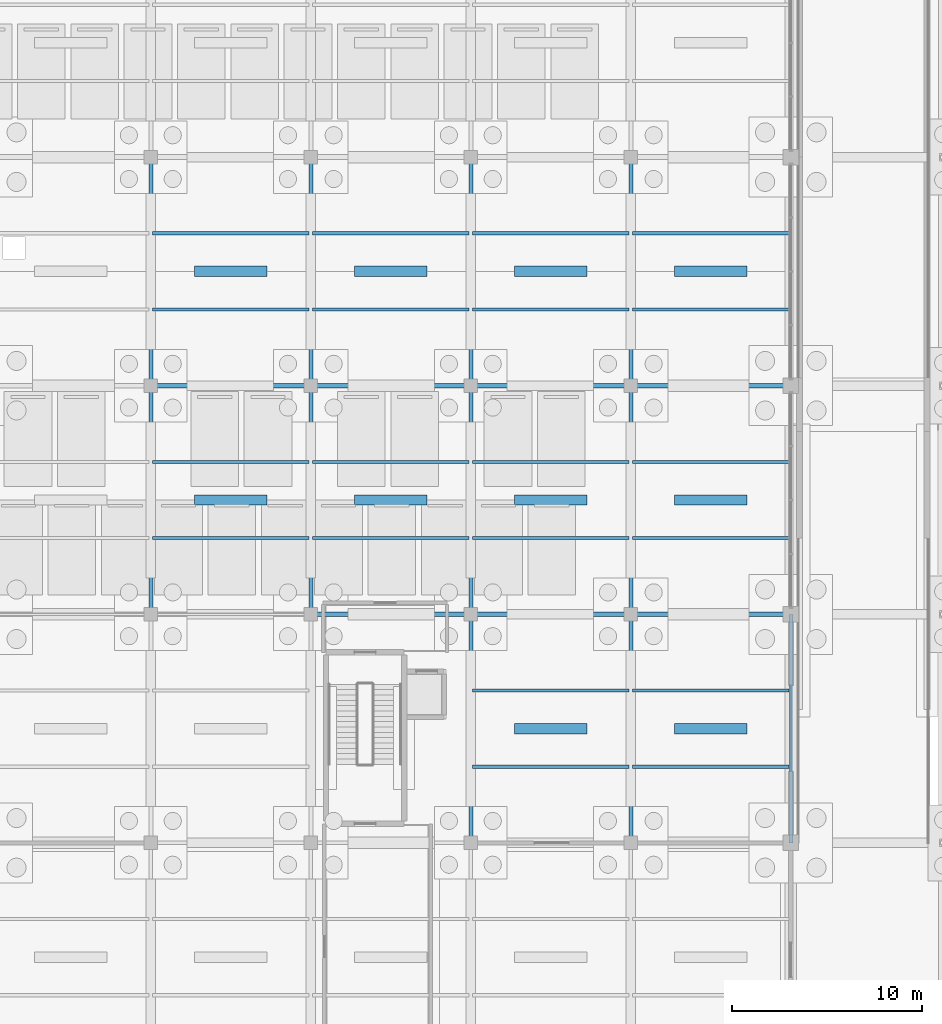
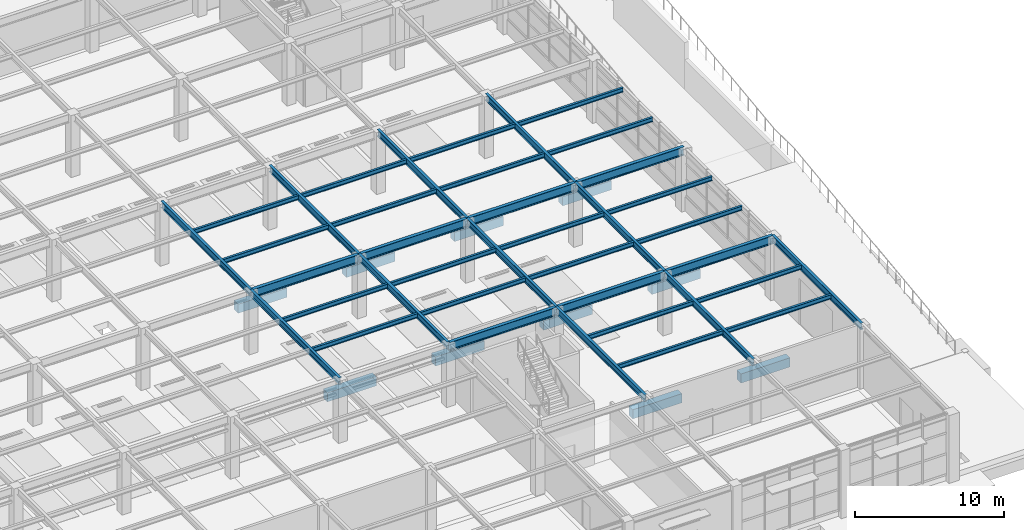
# One storey, part 66 of 129: 48 beams.
"""IFC4 building model written with IfcOpenShell, lengths in metres."""

from ifc_helpers import new_model, si_unit, direction, frame, origin, origin_2d, place, context, subcontext, project, spatial, rectangle, i_section, extrude, material, material_profile, profile_set, type_object, element, save


model = new_model("IFC4")

# Units and contexts
model_context = context("Model", 3, precision=1e-05, world=origin(), true_north=direction((0.0, 1.0)))
body_context = subcontext(model_context, "Body", "Model", "MODEL_VIEW")
ifc_project = project(units=[si_unit("LENGTHUNIT", "METRE"), si_unit("AREAUNIT", "SQUARE_METRE"), si_unit("VOLUMEUNIT", "CUBIC_METRE"), si_unit("PLANEANGLEUNIT", "RADIAN"), si_unit("MASSUNIT", "GRAM", prefix="KILO")], contexts=[model_context])

# Site, building, storey
site_placement = place(None, origin())
site = spatial("IfcSite", under=ifc_project, at=site_placement, CompositionType="ELEMENT")
building_placement = place(site_placement, origin())
building = spatial("IfcBuilding", under=site, at=building_placement, Name="Sitalva Quay Ferry Terminal", CompositionType="ELEMENT")
storey_placement = place(building_placement, origin())
storey = spatial("IfcBuildingStorey", under=building, at=storey_placement, Name="L01", CompositionType="ELEMENT", Elevation=0.0)

# Beams
ifc_material_1 = material(Name="Structural Steel S355JR", Category="steel")
ifc_material_profile_1 = material_profile(ifc_material_1, i_section(OverallWidth=0.2119140625, OverallDepth=0.5439453125, WebThickness=0.01318359375, FlangeThickness=0.021240234375, FilletRadius=0.014892578125, at=origin_2d()), Name="W530x123")
ifc_profile_set_1 = profile_set([ifc_material_profile_1], Name="Structural Steel S355JR")
beam_type_1 = type_object("IfcBeamType", Name="Girder_W530x123", PredefinedType="USERDEFINED", material=ifc_profile_set_1)
for number, where, z_axis, x_axis, name in (
    (1, (134.39990234375, 30.0, 4.80810546875), (0.0, 1.0, 0.0), (-1.0, 0.0, 0.0), "L01 Primary Y girder 0316"),
    (2, (134.39990234375, 42.0, 4.80810546875), (0.0, 1.0, 0.0), (-1.0, 0.0, 0.0), "L01 Primary Y girder 0317"),
    (3, (142.800048828125, 30.0, 4.80810546875), (0.0, 1.0, 0.0), (-1.0, 0.0, 0.0), "L01 Primary Y girder 0321"),
    (4, (142.800048828125, 42.0, 4.80810546875), (0.0, 1.0, 0.0), (-1.0, 0.0, 0.0), "L01 Primary Y girder 0322"),
    (5, (151.199951171875, 18.0, 4.80810546875), (0.0, 1.0, 0.0), (-1.0, 0.0, 0.0), "L01 Primary Y girder 0325"),
    (6, (151.199951171875, 30.0, 4.80810546875), (0.0, 1.0, 0.0), (-1.0, 0.0, 0.0), "L01 Primary Y girder 0326"),
    (7, (151.199951171875, 42.0, 4.80810546875), (0.0, 1.0, 0.0), (-1.0, 0.0, 0.0), "L01 Primary Y girder 0327"),
    (8, (159.60009765625, 18.0, 4.80810546875), (0.0, 1.0, 0.0), (-1.0, 0.0, 0.0), "L01 Primary Y girder 0330"),
    (9, (159.60009765625, 30.0, 4.80810546875), (0.0, 1.0, 0.0), (-1.0, 0.0, 0.0), "L01 Primary Y girder 0331"),
    (10, (159.60009765625, 42.0, 4.80810546875), (0.0, 1.0, 0.0), (-1.0, 0.0, 0.0), "L01 Primary Y girder 0332"),
    (11, (168.0, 18.0, 4.80810546875), (0.0, 1.0, 0.0), (-1.0, 0.0, 0.0), "L01 Primary Y girder 0335"),
):
    element("IfcBeam", number, at=place(storey_placement, frame(where, z_axis=z_axis, x_axis=x_axis)), inside=storey, type_object=beam_type_1, Name=name, ObjectType="GIRDER", PredefinedType="USERDEFINED", context=body_context, shape_type="SweptSolid", body=[
        extrude(i_section(OverallWidth=0.2119140625, OverallDepth=0.5439453125, WebThickness=0.01318359375, FlangeThickness=0.021240234375, FilletRadius=0.014892578125, at=origin_2d()), origin(), (0.0, 0.0, 1.0), 12.0),
    ])
ifc_material_2 = material(Name="Structural Steel S355JR", Category="steel")
ifc_material_profile_2 = material_profile(ifc_material_2, i_section(OverallWidth=0.256103515625, OverallDepth=0.693115234375, WebThickness=0.014404296875, FlangeThickness=0.023681640625, FilletRadius=0.01806640625, at=origin_2d()), Name="W690x170")
ifc_profile_set_2 = profile_set([ifc_material_profile_2], Name="Structural Steel S355JR")
beam_type_2 = type_object("IfcBeamType", Name="Girder_W690x170", PredefinedType="USERDEFINED", material=ifc_profile_set_2)
beam_1_placement = place(storey_placement, frame((142.800048828125, 30.0, 4.7333984375), z_axis=(1.0, 0.0, 0.0), x_axis=(0.0, 1.0, 0.0)))
element("IfcBeam", 12, at=beam_1_placement, inside=storey, type_object=beam_type_2, Name="L01 Primary X girder 0244", ObjectType="GIRDER", PredefinedType="USERDEFINED", context=body_context, shape_type="SweptSolid", body=[
    extrude(i_section(OverallWidth=0.256103515625, OverallDepth=0.693115234375, WebThickness=0.014404296875, FlangeThickness=0.023681640625, FilletRadius=0.01806640625, at=origin_2d()), origin(), (0.0, 0.0, 1.0), 8.39990234375),
])
beam_2_placement = place(storey_placement, frame((151.199951171875, 30.0, 4.7333984375), z_axis=(1.0, 0.0, 0.0), x_axis=(0.0, 1.0, 0.0)))
element("IfcBeam", 13, at=beam_2_placement, inside=storey, type_object=beam_type_2, Name="L01 Primary X girder 0245", ObjectType="GIRDER", PredefinedType="USERDEFINED", context=body_context, shape_type="SweptSolid", body=[
    extrude(i_section(OverallWidth=0.256103515625, OverallDepth=0.693115234375, WebThickness=0.014404296875, FlangeThickness=0.023681640625, FilletRadius=0.01806640625, at=origin_2d()), origin(), (0.0, 0.0, 1.0), 8.400146484375),
])
beam_3_placement = place(storey_placement, frame((159.60009765625, 30.0, 4.7333984375), z_axis=(1.0, 0.0, 0.0), x_axis=(0.0, 1.0, 0.0)))
element("IfcBeam", 14, at=beam_3_placement, inside=storey, type_object=beam_type_2, Name="L01 Primary X girder 0246", ObjectType="GIRDER", PredefinedType="USERDEFINED", context=body_context, shape_type="SweptSolid", body=[
    extrude(i_section(OverallWidth=0.256103515625, OverallDepth=0.693115234375, WebThickness=0.014404296875, FlangeThickness=0.023681640625, FilletRadius=0.01806640625, at=origin_2d()), origin(), (0.0, 0.0, 1.0), 8.39990234375),
])
beam_4_placement = place(storey_placement, frame((134.39990234375, 42.0, 4.7333984375), z_axis=(1.0, 0.0, 0.0), x_axis=(0.0, 1.0, 0.0)))
element("IfcBeam", 15, at=beam_4_placement, inside=storey, type_object=beam_type_2, Name="L01 Primary X girder 0253", ObjectType="GIRDER", PredefinedType="USERDEFINED", context=body_context, shape_type="SweptSolid", body=[
    extrude(i_section(OverallWidth=0.256103515625, OverallDepth=0.693115234375, WebThickness=0.014404296875, FlangeThickness=0.023681640625, FilletRadius=0.01806640625, at=origin_2d()), origin(), (0.0, 0.0, 1.0), 8.400146484375),
])
beam_5_placement = place(storey_placement, frame((142.800048828125, 42.0, 4.7333984375), z_axis=(1.0, 0.0, 0.0), x_axis=(0.0, 1.0, 0.0)))
element("IfcBeam", 16, at=beam_5_placement, inside=storey, type_object=beam_type_2, Name="L01 Primary X girder 0254", ObjectType="GIRDER", PredefinedType="USERDEFINED", context=body_context, shape_type="SweptSolid", body=[
    extrude(i_section(OverallWidth=0.256103515625, OverallDepth=0.693115234375, WebThickness=0.014404296875, FlangeThickness=0.023681640625, FilletRadius=0.01806640625, at=origin_2d()), origin(), (0.0, 0.0, 1.0), 8.39990234375),
])
beam_6_placement = place(storey_placement, frame((151.199951171875, 42.0, 4.7333984375), z_axis=(1.0, 0.0, 0.0), x_axis=(0.0, 1.0, 0.0)))
element("IfcBeam", 17, at=beam_6_placement, inside=storey, type_object=beam_type_2, Name="L01 Primary X girder 0255", ObjectType="GIRDER", PredefinedType="USERDEFINED", context=body_context, shape_type="SweptSolid", body=[
    extrude(i_section(OverallWidth=0.256103515625, OverallDepth=0.693115234375, WebThickness=0.014404296875, FlangeThickness=0.023681640625, FilletRadius=0.01806640625, at=origin_2d()), origin(), (0.0, 0.0, 1.0), 8.400146484375),
])
beam_7_placement = place(storey_placement, frame((159.60009765625, 42.0, 4.7333984375), z_axis=(1.0, 0.0, 0.0), x_axis=(0.0, 1.0, 0.0)))
element("IfcBeam", 18, at=beam_7_placement, inside=storey, type_object=beam_type_2, Name="L01 Primary X girder 0256", ObjectType="GIRDER", PredefinedType="USERDEFINED", context=body_context, shape_type="SweptSolid", body=[
    extrude(i_section(OverallWidth=0.256103515625, OverallDepth=0.693115234375, WebThickness=0.014404296875, FlangeThickness=0.023681640625, FilletRadius=0.01806640625, at=origin_2d()), origin(), (0.0, 0.0, 1.0), 8.39990234375),
])
ifc_material_3 = material(Name="Structural Steel S355JR", Category="steel")
ifc_material_profile_3 = material_profile(ifc_material_3, i_section(OverallWidth=0.172119140625, OverallDepth=0.35791015625, WebThickness=0.0078125, FlangeThickness=0.01318359375, FilletRadius=0.011962890625, at=origin_2d()), Name="W360x57")
ifc_profile_set_3 = profile_set([ifc_material_profile_3], Name="Structural Steel S355JR")
beam_type_3 = type_object("IfcBeamType", Name="Joist_W360x57", PredefinedType="JOIST", material=ifc_profile_set_3)
for number, where, z_axis, x_axis, name in (
    (19, (151.300048828125, 22.0, 4.90087890625), (1.0, 0.0, 0.0), (0.0, 1.0, 0.0), "L01 Secondary joist 0347"),
    (20, (159.699951171875, 22.0, 4.90087890625), (1.0, 0.0, 0.0), (0.0, 1.0, 0.0), "L01 Secondary joist 0348"),
    (21, (151.300048828125, 26.0, 4.90087890625), (1.0, 0.0, 0.0), (0.0, 1.0, 0.0), "L01 Secondary joist 0356"),
    (22, (159.699951171875, 26.0, 4.90087890625), (1.0, 0.0, 0.0), (0.0, 1.0, 0.0), "L01 Secondary joist 0357"),
    (23, (134.5, 34.0, 4.90087890625), (1.0, 0.0, 0.0), (0.0, 1.0, 0.0), "L01 Secondary joist 0364"),
):
    element("IfcBeam", number, at=place(storey_placement, frame(where, z_axis=z_axis, x_axis=x_axis)), inside=storey, type_object=beam_type_3, Name=name, PredefinedType="JOIST", context=body_context, shape_type="SweptSolid", body=[
        extrude(i_section(OverallWidth=0.172119140625, OverallDepth=0.35791015625, WebThickness=0.0078125, FlangeThickness=0.01318359375, FilletRadius=0.011962890625, at=origin_2d()), origin(), (0.0, 0.0, 1.0), 8.199951171875),
    ])
beam_8_placement = place(storey_placement, frame((142.89990234375, 34.0, 4.90087890625), z_axis=(1.0, 0.0, 0.0), x_axis=(0.0, 1.0, 0.0)))
element("IfcBeam", 24, at=beam_8_placement, inside=storey, type_object=beam_type_3, Name="L01 Secondary joist 0365", PredefinedType="JOIST", context=body_context, shape_type="SweptSolid", body=[
    extrude(i_section(OverallWidth=0.172119140625, OverallDepth=0.35791015625, WebThickness=0.0078125, FlangeThickness=0.01318359375, FilletRadius=0.011962890625, at=origin_2d()), origin(), (0.0, 0.0, 1.0), 8.2001953125),
])
for number, where, z_axis, x_axis, name in (
    (25, (151.300048828125, 34.0, 4.90087890625), (1.0, 0.0, 0.0), (0.0, 1.0, 0.0), "L01 Secondary joist 0366"),
    (26, (159.699951171875, 34.0, 4.90087890625), (1.0, 0.0, 0.0), (0.0, 1.0, 0.0), "L01 Secondary joist 0367"),
    (27, (134.5, 38.0, 4.90087890625), (1.0, 0.0, 0.0), (0.0, 1.0, 0.0), "L01 Secondary joist 0374"),
):
    element("IfcBeam", number, at=place(storey_placement, frame(where, z_axis=z_axis, x_axis=x_axis)), inside=storey, type_object=beam_type_3, Name=name, PredefinedType="JOIST", context=body_context, shape_type="SweptSolid", body=[
        extrude(i_section(OverallWidth=0.172119140625, OverallDepth=0.35791015625, WebThickness=0.0078125, FlangeThickness=0.01318359375, FilletRadius=0.011962890625, at=origin_2d()), origin(), (0.0, 0.0, 1.0), 8.199951171875),
    ])
beam_9_placement = place(storey_placement, frame((142.89990234375, 38.0, 4.90087890625), z_axis=(1.0, 0.0, 0.0), x_axis=(0.0, 1.0, 0.0)))
element("IfcBeam", 28, at=beam_9_placement, inside=storey, type_object=beam_type_3, Name="L01 Secondary joist 0375", PredefinedType="JOIST", context=body_context, shape_type="SweptSolid", body=[
    extrude(i_section(OverallWidth=0.172119140625, OverallDepth=0.35791015625, WebThickness=0.0078125, FlangeThickness=0.01318359375, FilletRadius=0.011962890625, at=origin_2d()), origin(), (0.0, 0.0, 1.0), 8.2001953125),
])
for number, where, z_axis, x_axis, name in (
    (29, (151.300048828125, 38.0, 4.90087890625), (1.0, 0.0, 0.0), (0.0, 1.0, 0.0), "L01 Secondary joist 0376"),
    (30, (159.699951171875, 38.0, 4.90087890625), (1.0, 0.0, 0.0), (0.0, 1.0, 0.0), "L01 Secondary joist 0377"),
    (31, (134.5, 46.0, 4.90087890625), (1.0, 0.0, 0.0), (0.0, 1.0, 0.0), "L01 Secondary joist 0384"),
):
    element("IfcBeam", number, at=place(storey_placement, frame(where, z_axis=z_axis, x_axis=x_axis)), inside=storey, type_object=beam_type_3, Name=name, PredefinedType="JOIST", context=body_context, shape_type="SweptSolid", body=[
        extrude(i_section(OverallWidth=0.172119140625, OverallDepth=0.35791015625, WebThickness=0.0078125, FlangeThickness=0.01318359375, FilletRadius=0.011962890625, at=origin_2d()), origin(), (0.0, 0.0, 1.0), 8.199951171875),
    ])
beam_10_placement = place(storey_placement, frame((142.89990234375, 46.0, 4.90087890625), z_axis=(1.0, 0.0, 0.0), x_axis=(0.0, 1.0, 0.0)))
element("IfcBeam", 32, at=beam_10_placement, inside=storey, type_object=beam_type_3, Name="L01 Secondary joist 0385", PredefinedType="JOIST", context=body_context, shape_type="SweptSolid", body=[
    extrude(i_section(OverallWidth=0.172119140625, OverallDepth=0.35791015625, WebThickness=0.0078125, FlangeThickness=0.01318359375, FilletRadius=0.011962890625, at=origin_2d()), origin(), (0.0, 0.0, 1.0), 8.2001953125),
])
for number, where, z_axis, x_axis, name in (
    (33, (151.300048828125, 46.0, 4.90087890625), (1.0, 0.0, 0.0), (0.0, 1.0, 0.0), "L01 Secondary joist 0386"),
    (34, (159.699951171875, 46.0, 4.90087890625), (1.0, 0.0, 0.0), (0.0, 1.0, 0.0), "L01 Secondary joist 0387"),
    (35, (134.5, 50.0, 4.90087890625), (1.0, 0.0, 0.0), (0.0, 1.0, 0.0), "L01 Secondary joist 0394"),
):
    element("IfcBeam", number, at=place(storey_placement, frame(where, z_axis=z_axis, x_axis=x_axis)), inside=storey, type_object=beam_type_3, Name=name, PredefinedType="JOIST", context=body_context, shape_type="SweptSolid", body=[
        extrude(i_section(OverallWidth=0.172119140625, OverallDepth=0.35791015625, WebThickness=0.0078125, FlangeThickness=0.01318359375, FilletRadius=0.011962890625, at=origin_2d()), origin(), (0.0, 0.0, 1.0), 8.199951171875),
    ])
beam_11_placement = place(storey_placement, frame((142.89990234375, 50.0, 4.90087890625), z_axis=(1.0, 0.0, 0.0), x_axis=(0.0, 1.0, 0.0)))
element("IfcBeam", 36, at=beam_11_placement, inside=storey, type_object=beam_type_3, Name="L01 Secondary joist 0395", PredefinedType="JOIST", context=body_context, shape_type="SweptSolid", body=[
    extrude(i_section(OverallWidth=0.172119140625, OverallDepth=0.35791015625, WebThickness=0.0078125, FlangeThickness=0.01318359375, FilletRadius=0.011962890625, at=origin_2d()), origin(), (0.0, 0.0, 1.0), 8.2001953125),
])
for number, where, z_axis, x_axis, name in (
    (37, (151.300048828125, 50.0, 4.90087890625), (1.0, 0.0, 0.0), (0.0, 1.0, 0.0), "L01 Secondary joist 0396"),
    (38, (159.699951171875, 50.0, 4.90087890625), (1.0, 0.0, 0.0), (0.0, 1.0, 0.0), "L01 Secondary joist 0397"),
):
    element("IfcBeam", number, at=place(storey_placement, frame(where, z_axis=z_axis, x_axis=x_axis)), inside=storey, type_object=beam_type_3, Name=name, PredefinedType="JOIST", context=body_context, shape_type="SweptSolid", body=[
        extrude(i_section(OverallWidth=0.172119140625, OverallDepth=0.35791015625, WebThickness=0.0078125, FlangeThickness=0.01318359375, FilletRadius=0.011962890625, at=origin_2d()), origin(), (0.0, 0.0, 1.0), 8.199951171875),
    ])
ifc_material_4 = material(Name="Concrete C35/45", Category="concrete")
ifc_material_profile_4 = material_profile(ifc_material_4, rectangle(XDim=0.550048828125, YDim=0.75, at=origin_2d()), Name="RC550x750")
ifc_profile_set_4 = profile_set([ifc_material_profile_4], Name="Concrete C35/45")
beam_type_4 = type_object("IfcBeamType", Name="TBeam_Quay_RC550x750", PredefinedType="T_BEAM", material=ifc_profile_set_4)
for number, where, z_axis, x_axis, name in (
    (39, (153.5, 24.0, -0.824951171875), (1.0, 0.0, 0.0), (0.0, 1.0, 0.0), "L01 Ro-Ro quay deck T-beam 0058"),
    (40, (161.89990234375, 24.0, -0.824951171875), (1.0, 0.0, 0.0), (0.0, 1.0, 0.0), "L01 Ro-Ro quay deck T-beam 0059"),
    (41, (136.699951171875, 36.0, -0.824951171875), (1.0, 0.0, 0.0), (0.0, 1.0, 0.0), "L01 Ro-Ro quay deck T-beam 0069"),
):
    element("IfcBeam", number, at=place(storey_placement, frame(where, z_axis=z_axis, x_axis=x_axis)), inside=storey, type_object=beam_type_4, Name=name, PredefinedType="T_BEAM", context=body_context, shape_type="SweptSolid", body=[
        extrude(rectangle(XDim=0.550048828125, YDim=0.75, at=origin_2d()), origin(), (0.0, 0.0, 1.0), 3.800048828125),
    ])
beam_12_placement = place(storey_placement, frame((145.10009765625, 36.0, -0.824951171875), z_axis=(1.0, 0.0, 0.0), x_axis=(0.0, 1.0, 0.0)))
element("IfcBeam", 42, at=beam_12_placement, inside=storey, type_object=beam_type_4, Name="L01 Ro-Ro quay deck T-beam 0070", PredefinedType="T_BEAM", context=body_context, shape_type="SweptSolid", body=[
    extrude(rectangle(XDim=0.550048828125, YDim=0.75, at=origin_2d()), origin(), (0.0, 0.0, 1.0), 3.7998046875),
])
for number, where, z_axis, x_axis, name in (
    (43, (153.5, 36.0, -0.824951171875), (1.0, 0.0, 0.0), (0.0, 1.0, 0.0), "L01 Ro-Ro quay deck T-beam 0071"),
    (44, (161.89990234375, 36.0, -0.824951171875), (1.0, 0.0, 0.0), (0.0, 1.0, 0.0), "L01 Ro-Ro quay deck T-beam 0072"),
    (45, (136.699951171875, 48.0, -0.824951171875), (1.0, 0.0, 0.0), (0.0, 1.0, 0.0), "L01 Ro-Ro quay deck T-beam 0082"),
):
    element("IfcBeam", number, at=place(storey_placement, frame(where, z_axis=z_axis, x_axis=x_axis)), inside=storey, type_object=beam_type_4, Name=name, PredefinedType="T_BEAM", context=body_context, shape_type="SweptSolid", body=[
        extrude(rectangle(XDim=0.550048828125, YDim=0.75, at=origin_2d()), origin(), (0.0, 0.0, 1.0), 3.800048828125),
    ])
beam_13_placement = place(storey_placement, frame((145.10009765625, 48.0, -0.824951171875), z_axis=(1.0, 0.0, 0.0), x_axis=(0.0, 1.0, 0.0)))
element("IfcBeam", 46, at=beam_13_placement, inside=storey, type_object=beam_type_4, Name="L01 Ro-Ro quay deck T-beam 0083", PredefinedType="T_BEAM", context=body_context, shape_type="SweptSolid", body=[
    extrude(rectangle(XDim=0.550048828125, YDim=0.75, at=origin_2d()), origin(), (0.0, 0.0, 1.0), 3.7998046875),
])
for number, where, z_axis, x_axis, name in (
    (47, (153.5, 48.0, -0.824951171875), (1.0, 0.0, 0.0), (0.0, 1.0, 0.0), "L01 Ro-Ro quay deck T-beam 0084"),
    (48, (161.89990234375, 48.0, -0.824951171875), (1.0, 0.0, 0.0), (0.0, 1.0, 0.0), "L01 Ro-Ro quay deck T-beam 0085"),
):
    element("IfcBeam", number, at=place(storey_placement, frame(where, z_axis=z_axis, x_axis=x_axis)), inside=storey, type_object=beam_type_4, Name=name, PredefinedType="T_BEAM", context=body_context, shape_type="SweptSolid", body=[
        extrude(rectangle(XDim=0.550048828125, YDim=0.75, at=origin_2d()), origin(), (0.0, 0.0, 1.0), 3.800048828125),
    ])

save(model, "model.ifc")
